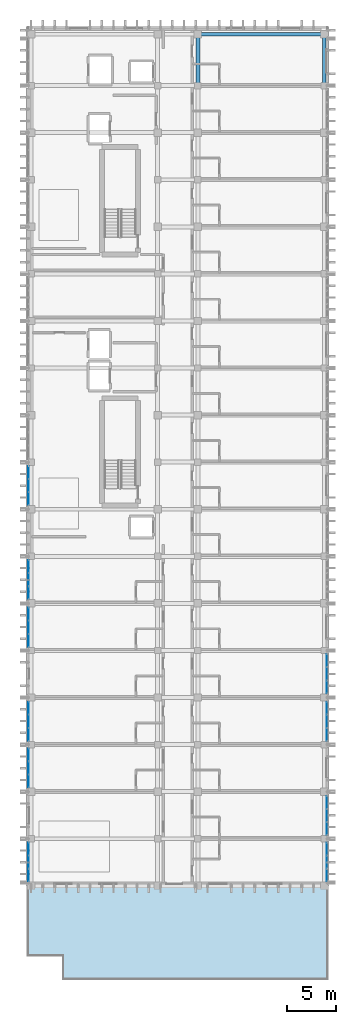
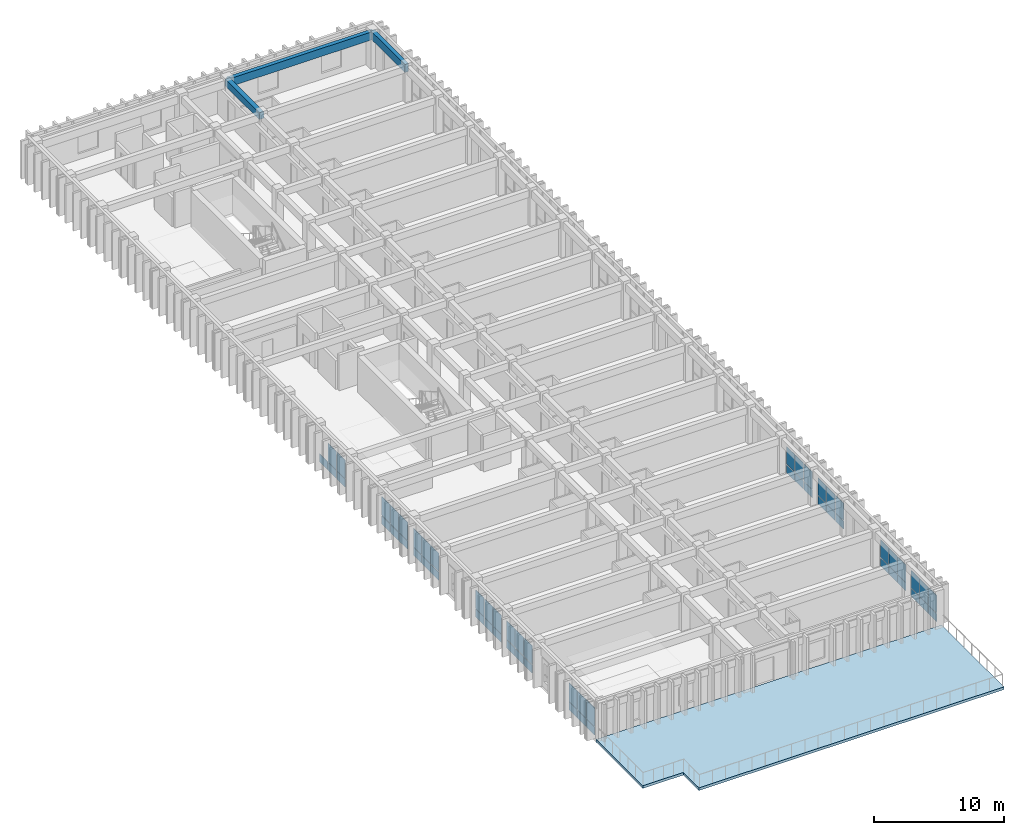
# One storey, part 47 of 64: 59 plates, 3 beams, 1 slab, 10 elements without a shape of their own.
"""IFC4 building model written with IfcOpenShell, lengths in metres."""

from ifc_helpers import new_model, si_unit, direction, frame, origin, origin_2d, place, context, subcontext, project, spatial, polyline, rectangle, outline, extrude, material, layer, layer_set, material_profile, profile_set, type_object, element, aggregate, save


model = new_model("IFC4")

# Units and contexts
model_context = context("Model", 3, precision=1e-05, world=origin(), true_north=direction((0.0, 1.0)))
body_context = subcontext(model_context, "Body", "Model", "MODEL_VIEW")
ifc_project = project(units=[si_unit("LENGTHUNIT", "METRE"), si_unit("AREAUNIT", "SQUARE_METRE"), si_unit("VOLUMEUNIT", "CUBIC_METRE"), si_unit("PLANEANGLEUNIT", "RADIAN"), si_unit("MASSUNIT", "GRAM", prefix="KILO")], contexts=[model_context])

# Site, building, storey
site_placement = place(None, origin())
site = spatial("IfcSite", under=ifc_project, at=site_placement, CompositionType="ELEMENT")
building_placement = place(site_placement, origin())
building = spatial("IfcBuilding", under=site, at=building_placement, Name="Nakhvara Creek Congress Hotel", CompositionType="ELEMENT")
storey_placement = place(building_placement, frame((0.0, 0.0, 28.199951171875)))
storey = spatial("IfcBuildingStorey", under=building, at=storey_placement, Name="L06", CompositionType="ELEMENT", Elevation=28.199951171875)

# Beams
ifc_material_1 = material(Name="Concrete C40/50", Category="concrete")
ifc_material_profile_1 = material_profile(ifc_material_1, rectangle(XDim=0.39990234375, YDim=0.64990234375, at=origin_2d()), Name="RC-BM 400x650", Category="LoadBearing")
ifc_profile_set_1 = profile_set([ifc_material_profile_1], Name="Concrete C40/50")
beam_type_1 = type_object("IfcBeamType", Name="BM-RC-400X650", PredefinedType="BEAM", material=ifc_profile_set_1)
beam_1_placement = place(storey_placement, frame((166.449951171875, 120.0, 3.01513671875), z_axis=(0.0, 1.0, 0.0), x_axis=(-1.0, 0.0, 0.0)))
element("IfcBeam", 1, at=beam_1_placement, inside=storey, type_object=beam_type_1, Name="Beam B06-L06-2274", PredefinedType="BEAM", context=body_context, shape_type="SweptSolid", body=[
    extrude(rectangle(XDim=0.39990234375, YDim=0.64990234375, at=origin_2d()), origin(), (0.0, 0.0, 1.0), 5.25),
])
ifc_material_profile_2 = material_profile(ifc_material_1, rectangle(XDim=0.35009765625, YDim=0.75, at=origin_2d()), Name="RC-SPANDREL 350x750", Category="LoadBearing")
ifc_profile_set_2 = profile_set([ifc_material_profile_2], Name="Concrete C40/50")
beam_type_2 = type_object("IfcBeamType", Name="BM-SPN-350X750", PredefinedType="SPANDREL", material=ifc_profile_set_2)
beam_2_placement = place(storey_placement, frame((166.449951171875, 125.25, 2.965087890625), z_axis=(1.0, 0.0, 0.0), x_axis=(0.0, 1.0, 0.0)))
element("IfcBeam", 2, at=beam_2_placement, inside=storey, type_object=beam_type_2, Name="Beam SP1-L06-2273", PredefinedType="SPANDREL", context=body_context, shape_type="SweptSolid", body=[
    extrude(rectangle(XDim=0.35009765625, YDim=0.75, at=origin_2d()), origin(), (0.0, 0.0, 1.0), 12.900146484375),
])
beam_3_placement = place(storey_placement, frame((179.35009765625, 120.0, 2.965087890625), z_axis=(0.0, 1.0, 0.0), x_axis=(-1.0, 0.0, 0.0)))
element("IfcBeam", 3, at=beam_3_placement, inside=storey, type_object=beam_type_2, Name="Beam SP1-L06-2292", PredefinedType="SPANDREL", context=body_context, shape_type="SweptSolid", body=[
    extrude(rectangle(XDim=0.35009765625, YDim=0.75, at=origin_2d()), origin(), (0.0, 0.0, 1.0), 5.25),
])

# Curtain wall, plates
ifc_material_2 = material(Name="Bronze-anodised aluminium AW-6063-T6 and double-silver low-E glass", Category="aluminium")
ifc_layer_1 = layer(ifc_material_2, 0.199951171875)
ifc_layer_set_1 = layer_set([ifc_layer_1], Name="Bronze-anodised aluminium AW-6063-T6 and double-silver low-E glass")
curtain_wall_type = type_object("IfcCurtainWallType", Name="CW-HTL-UNIT", PredefinedType="USERDEFINED", material=ifc_layer_set_1)
curtain_wall_1_placement = place(storey_placement, origin())
curtain_wall_1 = element("IfcCurtainWall", 4, at=curtain_wall_1_placement, inside=storey, type_object=curtain_wall_type, Name="Curtain Wall CW231", ObjectType="UNITISED", PredefinedType="USERDEFINED")
ifc_material_3 = material(Name="Double-silver solar-control low-E insulated glass", Category="glass")
plate_type_1 = type_object("IfcPlateType", Name="PNL-GLZ-120X250", PredefinedType="CURTAIN_PANEL", material=ifc_material_3)
plate_1_placement = place(storey_placement, frame((179.60009765625, 46.91552734375, 0.065185546875), z_axis=(0.0, 0.0, 1.0), x_axis=(0.0, -1.0, 0.0)))
plate_1 = element("IfcPlate", 5, at=plate_1_placement, type_object=plate_type_1, Name="CW231 panel 1.1", PredefinedType="CURTAIN_PANEL", context=body_context, shape_type="SweptSolid", body=[
    extrude(rectangle(XDim=1.25927734375, YDim=0.028076171875, at=origin_2d()), origin(), (0.0, 0.0, 1.0), 0.75244140625),
])
plate_2_placement = place(storey_placement, frame((179.60009765625, 46.91552734375, 0.88232421875), z_axis=(0.0, 0.0, 1.0), x_axis=(0.0, -1.0, 0.0)))
plate_2 = element("IfcPlate", 6, at=plate_2_placement, type_object=plate_type_1, Name="CW231 panel 1.2", PredefinedType="CURTAIN_PANEL", context=body_context, shape_type="SweptSolid", body=[
    extrude(rectangle(XDim=1.25927734375, YDim=0.028076171875, at=origin_2d()), origin(), (0.0, 0.0, 1.0), 1.634521484375),
])
plate_3_placement = place(storey_placement, frame((179.60009765625, 45.574951171875, 0.065185546875), z_axis=(0.0, 0.0, 1.0), x_axis=(0.0, -1.0, 0.0)))
plate_3 = element("IfcPlate", 7, at=plate_3_placement, type_object=plate_type_1, Name="CW231 panel 2.1", PredefinedType="CURTAIN_PANEL", context=body_context, shape_type="SweptSolid", body=[
    extrude(rectangle(XDim=1.291748046875, YDim=0.028076171875, at=origin_2d()), origin(), (0.0, 0.0, 1.0), 0.75244140625),
])
plate_4_placement = place(storey_placement, frame((179.60009765625, 45.574951171875, 0.88232421875), z_axis=(0.0, 0.0, 1.0), x_axis=(0.0, -1.0, 0.0)))
plate_4 = element("IfcPlate", 8, at=plate_4_placement, type_object=plate_type_1, Name="CW231 panel 2.2", PredefinedType="CURTAIN_PANEL", context=body_context, shape_type="SweptSolid", body=[
    extrude(rectangle(XDim=1.291748046875, YDim=0.028076171875, at=origin_2d()), origin(), (0.0, 0.0, 1.0), 1.634521484375),
])
plate_5_placement = place(storey_placement, frame((179.60009765625, 44.234619140625, 0.065185546875), z_axis=(0.0, 0.0, 1.0), x_axis=(0.0, -1.0, 0.0)))
plate_5 = element("IfcPlate", 9, at=plate_5_placement, type_object=plate_type_1, Name="CW231 panel 3.1", PredefinedType="CURTAIN_PANEL", context=body_context, shape_type="SweptSolid", body=[
    extrude(rectangle(XDim=1.25927734375, YDim=0.028076171875, at=origin_2d()), origin(), (0.0, 0.0, 1.0), 0.75244140625),
])
plate_6_placement = place(storey_placement, frame((179.60009765625, 44.234619140625, 0.88232421875), z_axis=(0.0, 0.0, 1.0), x_axis=(0.0, -1.0, 0.0)))
plate_6 = element("IfcPlate", 10, at=plate_6_placement, type_object=plate_type_1, Name="CW231 panel 3.2", PredefinedType="CURTAIN_PANEL", context=body_context, shape_type="SweptSolid", body=[
    extrude(rectangle(XDim=1.25927734375, YDim=0.028076171875, at=origin_2d()), origin(), (0.0, 0.0, 1.0), 1.634521484375),
])
aggregate(curtain_wall_1, [plate_1, plate_2, plate_3, plate_4, plate_5, plate_6])

curtain_wall_2_placement = place(storey_placement, origin())
curtain_wall_2 = element("IfcCurtainWall", 11, at=curtain_wall_2_placement, inside=storey, type_object=curtain_wall_type, Name="Curtain Wall CW232", ObjectType="UNITISED", PredefinedType="USERDEFINED")
plate_7_placement = place(storey_placement, frame((149.199951171875, 49.08447265625, 0.065185546875), z_axis=(0.0, 0.0, 1.0), x_axis=(0.0, 1.0, 0.0)))
plate_7 = element("IfcPlate", 12, at=plate_7_placement, type_object=plate_type_1, Name="CW232 panel 1.1", PredefinedType="CURTAIN_PANEL", context=body_context, shape_type="SweptSolid", body=[
    extrude(rectangle(XDim=1.25927734375, YDim=0.028076171875, at=origin_2d()), origin(), (0.0, 0.0, 1.0), 0.75244140625),
])
plate_8_placement = place(storey_placement, frame((149.199951171875, 49.08447265625, 0.88232421875), z_axis=(0.0, 0.0, 1.0), x_axis=(0.0, 1.0, 0.0)))
plate_8 = element("IfcPlate", 13, at=plate_8_placement, type_object=plate_type_1, Name="CW232 panel 1.2", PredefinedType="CURTAIN_PANEL", context=body_context, shape_type="SweptSolid", body=[
    extrude(rectangle(XDim=1.25927734375, YDim=0.028076171875, at=origin_2d()), origin(), (0.0, 0.0, 1.0), 1.734619140625),
])
plate_9_placement = place(storey_placement, frame((149.199951171875, 50.425048828125, 0.065185546875), z_axis=(0.0, 0.0, 1.0), x_axis=(0.0, 1.0, 0.0)))
plate_9 = element("IfcPlate", 14, at=plate_9_placement, type_object=plate_type_1, Name="CW232 panel 2.1", PredefinedType="CURTAIN_PANEL", context=body_context, shape_type="SweptSolid", body=[
    extrude(rectangle(XDim=1.291748046875, YDim=0.028076171875, at=origin_2d()), origin(), (0.0, 0.0, 1.0), 0.75244140625),
])
plate_10_placement = place(storey_placement, frame((149.199951171875, 50.425048828125, 0.88232421875), z_axis=(0.0, 0.0, 1.0), x_axis=(0.0, 1.0, 0.0)))
plate_10 = element("IfcPlate", 15, at=plate_10_placement, type_object=plate_type_1, Name="CW232 panel 2.2", PredefinedType="CURTAIN_PANEL", context=body_context, shape_type="SweptSolid", body=[
    extrude(rectangle(XDim=1.291748046875, YDim=0.028076171875, at=origin_2d()), origin(), (0.0, 0.0, 1.0), 1.734619140625),
])
plate_11_placement = place(storey_placement, frame((149.199951171875, 51.765380859375, 0.065185546875), z_axis=(0.0, 0.0, 1.0), x_axis=(0.0, 1.0, 0.0)))
plate_11 = element("IfcPlate", 16, at=plate_11_placement, type_object=plate_type_1, Name="CW232 panel 3.1", PredefinedType="CURTAIN_PANEL", context=body_context, shape_type="SweptSolid", body=[
    extrude(rectangle(XDim=1.25927734375, YDim=0.028076171875, at=origin_2d()), origin(), (0.0, 0.0, 1.0), 0.75244140625),
])
plate_12_placement = place(storey_placement, frame((149.199951171875, 51.765380859375, 0.88232421875), z_axis=(0.0, 0.0, 1.0), x_axis=(0.0, 1.0, 0.0)))
plate_12 = element("IfcPlate", 17, at=plate_12_placement, type_object=plate_type_1, Name="CW232 panel 3.2", PredefinedType="CURTAIN_PANEL", context=body_context, shape_type="SweptSolid", body=[
    extrude(rectangle(XDim=1.25927734375, YDim=0.028076171875, at=origin_2d()), origin(), (0.0, 0.0, 1.0), 1.734619140625),
])
aggregate(curtain_wall_2, [plate_7, plate_8, plate_9, plate_10, plate_11, plate_12])

curtain_wall_3_placement = place(storey_placement, origin())
curtain_wall_3 = element("IfcCurtainWall", 18, at=curtain_wall_3_placement, inside=storey, type_object=curtain_wall_type, Name="Curtain Wall CW233", ObjectType="UNITISED", PredefinedType="USERDEFINED")
plate_13_placement = place(storey_placement, frame((179.60009765625, 56.515380859375, 0.065185546875), z_axis=(0.0, 0.0, 1.0), x_axis=(0.0, -1.0, 0.0)))
plate_13 = element("IfcPlate", 19, at=plate_13_placement, type_object=plate_type_1, Name="CW233 panel 1.1", PredefinedType="CURTAIN_PANEL", context=body_context, shape_type="SweptSolid", body=[
    extrude(rectangle(XDim=1.25927734375, YDim=0.028076171875, at=origin_2d()), origin(), (0.0, 0.0, 1.0), 0.75244140625),
])
plate_14_placement = place(storey_placement, frame((179.60009765625, 56.515380859375, 0.88232421875), z_axis=(0.0, 0.0, 1.0), x_axis=(0.0, -1.0, 0.0)))
plate_14 = element("IfcPlate", 20, at=plate_14_placement, type_object=plate_type_1, Name="CW233 panel 1.2", PredefinedType="CURTAIN_PANEL", context=body_context, shape_type="SweptSolid", body=[
    extrude(rectangle(XDim=1.25927734375, YDim=0.028076171875, at=origin_2d()), origin(), (0.0, 0.0, 1.0), 1.634521484375),
])
plate_15_placement = place(storey_placement, frame((179.60009765625, 55.175048828125, 0.065185546875), z_axis=(0.0, 0.0, 1.0), x_axis=(0.0, -1.0, 0.0)))
plate_15 = element("IfcPlate", 21, at=plate_15_placement, type_object=plate_type_1, Name="CW233 panel 2.1", PredefinedType="CURTAIN_PANEL", context=body_context, shape_type="SweptSolid", body=[
    extrude(rectangle(XDim=1.291748046875, YDim=0.028076171875, at=origin_2d()), origin(), (0.0, 0.0, 1.0), 0.75244140625),
])
plate_16_placement = place(storey_placement, frame((179.60009765625, 55.175048828125, 0.88232421875), z_axis=(0.0, 0.0, 1.0), x_axis=(0.0, -1.0, 0.0)))
plate_16 = element("IfcPlate", 22, at=plate_16_placement, type_object=plate_type_1, Name="CW233 panel 2.2", PredefinedType="CURTAIN_PANEL", context=body_context, shape_type="SweptSolid", body=[
    extrude(rectangle(XDim=1.291748046875, YDim=0.028076171875, at=origin_2d()), origin(), (0.0, 0.0, 1.0), 1.634521484375),
])
plate_17_placement = place(storey_placement, frame((179.60009765625, 53.83447265625, 0.065185546875), z_axis=(0.0, 0.0, 1.0), x_axis=(0.0, -1.0, 0.0)))
plate_17 = element("IfcPlate", 23, at=plate_17_placement, type_object=plate_type_1, Name="CW233 panel 3.1", PredefinedType="CURTAIN_PANEL", context=body_context, shape_type="SweptSolid", body=[
    extrude(rectangle(XDim=1.25927734375, YDim=0.028076171875, at=origin_2d()), origin(), (0.0, 0.0, 1.0), 0.75244140625),
])
plate_18_placement = place(storey_placement, frame((179.60009765625, 53.83447265625, 0.88232421875), z_axis=(0.0, 0.0, 1.0), x_axis=(0.0, -1.0, 0.0)))
plate_18 = element("IfcPlate", 24, at=plate_18_placement, type_object=plate_type_1, Name="CW233 panel 3.2", PredefinedType="CURTAIN_PANEL", context=body_context, shape_type="SweptSolid", body=[
    extrude(rectangle(XDim=1.25927734375, YDim=0.028076171875, at=origin_2d()), origin(), (0.0, 0.0, 1.0), 1.634521484375),
])
aggregate(curtain_wall_3, [plate_13, plate_14, plate_15, plate_16, plate_17, plate_18])

curtain_wall_4_placement = place(storey_placement, origin())
curtain_wall_4 = element("IfcCurtainWall", 25, at=curtain_wall_4_placement, inside=storey, type_object=curtain_wall_type, Name="Curtain Wall CW234", ObjectType="UNITISED", PredefinedType="USERDEFINED")
plate_19_placement = place(storey_placement, frame((149.199951171875, 53.83447265625, 0.065185546875), z_axis=(0.0, 0.0, 1.0), x_axis=(0.0, 1.0, 0.0)))
plate_19 = element("IfcPlate", 26, at=plate_19_placement, type_object=plate_type_1, Name="CW234 panel 1.1", PredefinedType="CURTAIN_PANEL", context=body_context, shape_type="SweptSolid", body=[
    extrude(rectangle(XDim=1.25927734375, YDim=0.028076171875, at=origin_2d()), origin(), (0.0, 0.0, 1.0), 0.75244140625),
])
plate_20_placement = place(storey_placement, frame((149.199951171875, 53.83447265625, 0.88232421875), z_axis=(0.0, 0.0, 1.0), x_axis=(0.0, 1.0, 0.0)))
plate_20 = element("IfcPlate", 27, at=plate_20_placement, type_object=plate_type_1, Name="CW234 panel 1.2", PredefinedType="CURTAIN_PANEL", context=body_context, shape_type="SweptSolid", body=[
    extrude(rectangle(XDim=1.25927734375, YDim=0.028076171875, at=origin_2d()), origin(), (0.0, 0.0, 1.0), 1.734619140625),
])
plate_21_placement = place(storey_placement, frame((149.199951171875, 55.175048828125, 0.065185546875), z_axis=(0.0, 0.0, 1.0), x_axis=(0.0, 1.0, 0.0)))
plate_21 = element("IfcPlate", 28, at=plate_21_placement, type_object=plate_type_1, Name="CW234 panel 2.1", PredefinedType="CURTAIN_PANEL", context=body_context, shape_type="SweptSolid", body=[
    extrude(rectangle(XDim=1.291748046875, YDim=0.028076171875, at=origin_2d()), origin(), (0.0, 0.0, 1.0), 0.75244140625),
])
plate_22_placement = place(storey_placement, frame((149.199951171875, 55.175048828125, 0.88232421875), z_axis=(0.0, 0.0, 1.0), x_axis=(0.0, 1.0, 0.0)))
plate_22 = element("IfcPlate", 29, at=plate_22_placement, type_object=plate_type_1, Name="CW234 panel 2.2", PredefinedType="CURTAIN_PANEL", context=body_context, shape_type="SweptSolid", body=[
    extrude(rectangle(XDim=1.291748046875, YDim=0.028076171875, at=origin_2d()), origin(), (0.0, 0.0, 1.0), 1.734619140625),
])
plate_23_placement = place(storey_placement, frame((149.199951171875, 56.515380859375, 0.065185546875), z_axis=(0.0, 0.0, 1.0), x_axis=(0.0, 1.0, 0.0)))
plate_23 = element("IfcPlate", 30, at=plate_23_placement, type_object=plate_type_1, Name="CW234 panel 3.1", PredefinedType="CURTAIN_PANEL", context=body_context, shape_type="SweptSolid", body=[
    extrude(rectangle(XDim=1.25927734375, YDim=0.028076171875, at=origin_2d()), origin(), (0.0, 0.0, 1.0), 0.75244140625),
])
plate_24_placement = place(storey_placement, frame((149.199951171875, 56.515380859375, 0.88232421875), z_axis=(0.0, 0.0, 1.0), x_axis=(0.0, 1.0, 0.0)))
plate_24 = element("IfcPlate", 31, at=plate_24_placement, type_object=plate_type_1, Name="CW234 panel 3.2", PredefinedType="CURTAIN_PANEL", context=body_context, shape_type="SweptSolid", body=[
    extrude(rectangle(XDim=1.25927734375, YDim=0.028076171875, at=origin_2d()), origin(), (0.0, 0.0, 1.0), 1.734619140625),
])
aggregate(curtain_wall_4, [plate_19, plate_20, plate_21, plate_22, plate_23, plate_24])

curtain_wall_5_placement = place(storey_placement, origin())
curtain_wall_5 = element("IfcCurtainWall", 32, at=curtain_wall_5_placement, inside=storey, type_object=curtain_wall_type, Name="Curtain Wall CW235", ObjectType="UNITISED", PredefinedType="USERDEFINED")
plate_25_placement = place(storey_placement, frame((179.60009765625, 61.365478515625, 0.065185546875), z_axis=(0.0, 0.0, 1.0), x_axis=(0.0, -1.0, 0.0)))
plate_25 = element("IfcPlate", 33, at=plate_25_placement, type_object=plate_type_1, Name="CW235 panel 1.1", PredefinedType="CURTAIN_PANEL", context=body_context, shape_type="SweptSolid", body=[
    extrude(rectangle(XDim=1.25927734375, YDim=0.028076171875, at=origin_2d()), origin(), (0.0, 0.0, 1.0), 0.75244140625),
])
plate_26_placement = place(storey_placement, frame((179.60009765625, 61.365478515625, 0.88232421875), z_axis=(0.0, 0.0, 1.0), x_axis=(0.0, -1.0, 0.0)))
plate_26 = element("IfcPlate", 34, at=plate_26_placement, type_object=plate_type_1, Name="CW235 panel 1.2", PredefinedType="CURTAIN_PANEL", context=body_context, shape_type="SweptSolid", body=[
    extrude(rectangle(XDim=1.25927734375, YDim=0.028076171875, at=origin_2d()), origin(), (0.0, 0.0, 1.0), 1.634521484375),
])
plate_27_placement = place(storey_placement, frame((179.60009765625, 60.02490234375, 0.065185546875), z_axis=(0.0, 0.0, 1.0), x_axis=(0.0, -1.0, 0.0)))
plate_27 = element("IfcPlate", 35, at=plate_27_placement, type_object=plate_type_1, Name="CW235 panel 2.1", PredefinedType="CURTAIN_PANEL", context=body_context, shape_type="SweptSolid", body=[
    extrude(rectangle(XDim=1.291748046875, YDim=0.028076171875, at=origin_2d()), origin(), (0.0, 0.0, 1.0), 0.75244140625),
])
plate_28_placement = place(storey_placement, frame((179.60009765625, 60.02490234375, 0.88232421875), z_axis=(0.0, 0.0, 1.0), x_axis=(0.0, -1.0, 0.0)))
plate_28 = element("IfcPlate", 36, at=plate_28_placement, type_object=plate_type_1, Name="CW235 panel 2.2", PredefinedType="CURTAIN_PANEL", context=body_context, shape_type="SweptSolid", body=[
    extrude(rectangle(XDim=1.291748046875, YDim=0.028076171875, at=origin_2d()), origin(), (0.0, 0.0, 1.0), 1.634521484375),
])
plate_29_placement = place(storey_placement, frame((179.60009765625, 58.6845703125, 0.065185546875), z_axis=(0.0, 0.0, 1.0), x_axis=(0.0, -1.0, 0.0)))
plate_29 = element("IfcPlate", 37, at=plate_29_placement, type_object=plate_type_1, Name="CW235 panel 3.1", PredefinedType="CURTAIN_PANEL", context=body_context, shape_type="SweptSolid", body=[
    extrude(rectangle(XDim=1.25927734375, YDim=0.028076171875, at=origin_2d()), origin(), (0.0, 0.0, 1.0), 0.75244140625),
])
plate_30_placement = place(storey_placement, frame((179.60009765625, 58.6845703125, 0.88232421875), z_axis=(0.0, 0.0, 1.0), x_axis=(0.0, -1.0, 0.0)))
plate_30 = element("IfcPlate", 38, at=plate_30_placement, type_object=plate_type_1, Name="CW235 panel 3.2", PredefinedType="CURTAIN_PANEL", context=body_context, shape_type="SweptSolid", body=[
    extrude(rectangle(XDim=1.25927734375, YDim=0.028076171875, at=origin_2d()), origin(), (0.0, 0.0, 1.0), 1.634521484375),
])
aggregate(curtain_wall_5, [plate_25, plate_26, plate_27, plate_28, plate_29, plate_30])

curtain_wall_6_placement = place(storey_placement, origin())
curtain_wall_6 = element("IfcCurtainWall", 39, at=curtain_wall_6_placement, inside=storey, type_object=curtain_wall_type, Name="Curtain Wall CW236", ObjectType="UNITISED", PredefinedType="USERDEFINED")
plate_31_placement = place(storey_placement, frame((149.199951171875, 63.4345703125, 0.065185546875), z_axis=(0.0, 0.0, 1.0), x_axis=(0.0, 1.0, 0.0)))
plate_31 = element("IfcPlate", 40, at=plate_31_placement, type_object=plate_type_1, Name="CW236 panel 1.1", PredefinedType="CURTAIN_PANEL", context=body_context, shape_type="SweptSolid", body=[
    extrude(rectangle(XDim=1.25927734375, YDim=0.028076171875, at=origin_2d()), origin(), (0.0, 0.0, 1.0), 0.75244140625),
])
plate_32_placement = place(storey_placement, frame((149.199951171875, 63.4345703125, 0.88232421875), z_axis=(0.0, 0.0, 1.0), x_axis=(0.0, 1.0, 0.0)))
plate_32 = element("IfcPlate", 41, at=plate_32_placement, type_object=plate_type_1, Name="CW236 panel 1.2", PredefinedType="CURTAIN_PANEL", context=body_context, shape_type="SweptSolid", body=[
    extrude(rectangle(XDim=1.25927734375, YDim=0.028076171875, at=origin_2d()), origin(), (0.0, 0.0, 1.0), 1.734619140625),
])
plate_33_placement = place(storey_placement, frame((149.199951171875, 64.77490234375, 0.065185546875), z_axis=(0.0, 0.0, 1.0), x_axis=(0.0, 1.0, 0.0)))
plate_33 = element("IfcPlate", 42, at=plate_33_placement, type_object=plate_type_1, Name="CW236 panel 2.1", PredefinedType="CURTAIN_PANEL", context=body_context, shape_type="SweptSolid", body=[
    extrude(rectangle(XDim=1.291748046875, YDim=0.028076171875, at=origin_2d()), origin(), (0.0, 0.0, 1.0), 0.75244140625),
])
plate_34_placement = place(storey_placement, frame((149.199951171875, 64.77490234375, 0.88232421875), z_axis=(0.0, 0.0, 1.0), x_axis=(0.0, 1.0, 0.0)))
plate_34 = element("IfcPlate", 43, at=plate_34_placement, type_object=plate_type_1, Name="CW236 panel 2.2", PredefinedType="CURTAIN_PANEL", context=body_context, shape_type="SweptSolid", body=[
    extrude(rectangle(XDim=1.291748046875, YDim=0.028076171875, at=origin_2d()), origin(), (0.0, 0.0, 1.0), 1.734619140625),
])
plate_35_placement = place(storey_placement, frame((149.199951171875, 66.115478515625, 0.065185546875), z_axis=(0.0, 0.0, 1.0), x_axis=(0.0, 1.0, 0.0)))
plate_35 = element("IfcPlate", 44, at=plate_35_placement, type_object=plate_type_1, Name="CW236 panel 3.1", PredefinedType="CURTAIN_PANEL", context=body_context, shape_type="SweptSolid", body=[
    extrude(rectangle(XDim=1.25927734375, YDim=0.028076171875, at=origin_2d()), origin(), (0.0, 0.0, 1.0), 0.75244140625),
])
plate_36_placement = place(storey_placement, frame((149.199951171875, 66.115478515625, 0.88232421875), z_axis=(0.0, 0.0, 1.0), x_axis=(0.0, 1.0, 0.0)))
plate_36 = element("IfcPlate", 45, at=plate_36_placement, type_object=plate_type_1, Name="CW236 panel 3.2", PredefinedType="CURTAIN_PANEL", context=body_context, shape_type="SweptSolid", body=[
    extrude(rectangle(XDim=1.25927734375, YDim=0.028076171875, at=origin_2d()), origin(), (0.0, 0.0, 1.0), 1.734619140625),
])
aggregate(curtain_wall_6, [plate_31, plate_32, plate_33, plate_34, plate_35, plate_36])

curtain_wall_7_placement = place(storey_placement, origin())
curtain_wall_7 = element("IfcCurtainWall", 46, at=curtain_wall_7_placement, inside=storey, type_object=curtain_wall_type, Name="Curtain Wall CW240", ObjectType="UNITISED", PredefinedType="USERDEFINED")
plate_37_placement = place(storey_placement, frame((149.199951171875, 77.884521484375, 0.065185546875), z_axis=(0.0, 0.0, 1.0), x_axis=(0.0, 1.0, 0.0)))
plate_37 = element("IfcPlate", 47, at=plate_37_placement, type_object=plate_type_1, Name="CW240 panel 1.1", PredefinedType="CURTAIN_PANEL", context=body_context, shape_type="SweptSolid", body=[
    extrude(rectangle(XDim=1.25927734375, YDim=0.028076171875, at=origin_2d()), origin(), (0.0, 0.0, 1.0), 0.75244140625),
])
plate_38_placement = place(storey_placement, frame((149.199951171875, 77.884521484375, 0.88232421875), z_axis=(0.0, 0.0, 1.0), x_axis=(0.0, 1.0, 0.0)))
plate_38 = element("IfcPlate", 48, at=plate_38_placement, type_object=plate_type_1, Name="CW240 panel 1.2", PredefinedType="CURTAIN_PANEL", context=body_context, shape_type="SweptSolid", body=[
    extrude(rectangle(XDim=1.25927734375, YDim=0.028076171875, at=origin_2d()), origin(), (0.0, 0.0, 1.0), 1.734619140625),
])
plate_39_placement = place(storey_placement, frame((149.199951171875, 79.22509765625, 0.065185546875), z_axis=(0.0, 0.0, 1.0), x_axis=(0.0, 1.0, 0.0)))
plate_39 = element("IfcPlate", 49, at=plate_39_placement, type_object=plate_type_1, Name="CW240 panel 2.1", PredefinedType="CURTAIN_PANEL", context=body_context, shape_type="SweptSolid", body=[
    extrude(rectangle(XDim=1.291748046875, YDim=0.028076171875, at=origin_2d()), origin(), (0.0, 0.0, 1.0), 0.75244140625),
])
plate_40_placement = place(storey_placement, frame((149.199951171875, 79.22509765625, 0.88232421875), z_axis=(0.0, 0.0, 1.0), x_axis=(0.0, 1.0, 0.0)))
plate_40 = element("IfcPlate", 50, at=plate_40_placement, type_object=plate_type_1, Name="CW240 panel 2.2", PredefinedType="CURTAIN_PANEL", context=body_context, shape_type="SweptSolid", body=[
    extrude(rectangle(XDim=1.291748046875, YDim=0.028076171875, at=origin_2d()), origin(), (0.0, 0.0, 1.0), 1.734619140625),
])
plate_41_placement = place(storey_placement, frame((149.199951171875, 80.5654296875, 0.065185546875), z_axis=(0.0, 0.0, 1.0), x_axis=(0.0, 1.0, 0.0)))
plate_41 = element("IfcPlate", 51, at=plate_41_placement, type_object=plate_type_1, Name="CW240 panel 3.1", PredefinedType="CURTAIN_PANEL", context=body_context, shape_type="SweptSolid", body=[
    extrude(rectangle(XDim=1.25927734375, YDim=0.028076171875, at=origin_2d()), origin(), (0.0, 0.0, 1.0), 0.75244140625),
])
aggregate(curtain_wall_7, [plate_37, plate_38, plate_39, plate_40, plate_41])

curtain_wall_8_placement = place(storey_placement, origin())
curtain_wall_8 = element("IfcCurtainWall", 52, at=curtain_wall_8_placement, inside=storey, type_object=curtain_wall_type, Name="Curtain Wall CW229", ObjectType="UNITISED", PredefinedType="USERDEFINED")
ifc_material_4 = material(Name="Back-insulated bronze spandrel glass panel", Category="glass")
plate_type_2 = type_object("IfcPlateType", Name="PNL-SPN-120X080", PredefinedType="CURTAIN_PANEL", material=ifc_material_4)
plate_42_placement = place(storey_placement, frame((179.60009765625, 42.16552734375, 0.065185546875), z_axis=(0.0, 0.0, 1.0), x_axis=(0.0, -1.0, 0.0)))
plate_42 = element("IfcPlate", 53, at=plate_42_placement, type_object=plate_type_2, Name="CW229 panel 1.1", PredefinedType="CURTAIN_PANEL", context=body_context, shape_type="SweptSolid", body=[
    extrude(rectangle(XDim=1.25927734375, YDim=0.0419921875, at=origin_2d()), origin(), (0.0, 0.0, 1.0), 0.75244140625),
])
plate_43_placement = place(storey_placement, frame((179.60009765625, 42.16552734375, 0.88232421875), z_axis=(0.0, 0.0, 1.0), x_axis=(0.0, -1.0, 0.0)))
plate_43 = element("IfcPlate", 54, at=plate_43_placement, type_object=plate_type_2, Name="CW229 panel 1.2", PredefinedType="CURTAIN_PANEL", context=body_context, shape_type="SweptSolid", body=[
    extrude(rectangle(XDim=1.25927734375, YDim=0.0419921875, at=origin_2d()), origin(), (0.0, 0.0, 1.0), 1.634521484375),
])
plate_44_placement = place(storey_placement, frame((179.60009765625, 40.824951171875, 0.065185546875), z_axis=(0.0, 0.0, 1.0), x_axis=(0.0, -1.0, 0.0)))
plate_44 = element("IfcPlate", 55, at=plate_44_placement, type_object=plate_type_2, Name="CW229 panel 2.1", PredefinedType="CURTAIN_PANEL", context=body_context, shape_type="SweptSolid", body=[
    extrude(rectangle(XDim=1.291748046875, YDim=0.0419921875, at=origin_2d()), origin(), (0.0, 0.0, 1.0), 0.75244140625),
])
plate_45_placement = place(storey_placement, frame((179.60009765625, 40.824951171875, 0.88232421875), z_axis=(0.0, 0.0, 1.0), x_axis=(0.0, -1.0, 0.0)))
plate_45 = element("IfcPlate", 56, at=plate_45_placement, type_object=plate_type_2, Name="CW229 panel 2.2", PredefinedType="CURTAIN_PANEL", context=body_context, shape_type="SweptSolid", body=[
    extrude(rectangle(XDim=1.291748046875, YDim=0.0419921875, at=origin_2d()), origin(), (0.0, 0.0, 1.0), 1.634521484375),
])
plate_46_placement = place(storey_placement, frame((179.60009765625, 39.484619140625, 0.065185546875), z_axis=(0.0, 0.0, 1.0), x_axis=(0.0, -1.0, 0.0)))
plate_46 = element("IfcPlate", 57, at=plate_46_placement, type_object=plate_type_2, Name="CW229 panel 3.1", PredefinedType="CURTAIN_PANEL", context=body_context, shape_type="SweptSolid", body=[
    extrude(rectangle(XDim=1.25927734375, YDim=0.0419921875, at=origin_2d()), origin(), (0.0, 0.0, 1.0), 0.75244140625),
])
plate_47_placement = place(storey_placement, frame((179.60009765625, 39.484619140625, 0.88232421875), z_axis=(0.0, 0.0, 1.0), x_axis=(0.0, -1.0, 0.0)))
plate_47 = element("IfcPlate", 58, at=plate_47_placement, type_object=plate_type_2, Name="CW229 panel 3.2", PredefinedType="CURTAIN_PANEL", context=body_context, shape_type="SweptSolid", body=[
    extrude(rectangle(XDim=1.25927734375, YDim=0.0419921875, at=origin_2d()), origin(), (0.0, 0.0, 1.0), 1.634521484375),
])
aggregate(curtain_wall_8, [plate_42, plate_43, plate_44, plate_45, plate_46, plate_47])

curtain_wall_9_placement = place(storey_placement, origin())
curtain_wall_9 = element("IfcCurtainWall", 59, at=curtain_wall_9_placement, inside=storey, type_object=curtain_wall_type, Name="Curtain Wall CW230", ObjectType="UNITISED", PredefinedType="USERDEFINED")
plate_48_placement = place(storey_placement, frame((149.199951171875, 39.484619140625, 0.065185546875), z_axis=(0.0, 0.0, 1.0), x_axis=(0.0, 1.0, 0.0)))
plate_48 = element("IfcPlate", 60, at=plate_48_placement, type_object=plate_type_2, Name="CW230 panel 1.1", PredefinedType="CURTAIN_PANEL", context=body_context, shape_type="SweptSolid", body=[
    extrude(rectangle(XDim=1.25927734375, YDim=0.0419921875, at=origin_2d()), origin(), (0.0, 0.0, 1.0), 0.75244140625),
])
plate_49_placement = place(storey_placement, frame((149.199951171875, 39.484619140625, 0.88232421875), z_axis=(0.0, 0.0, 1.0), x_axis=(0.0, 1.0, 0.0)))
plate_49 = element("IfcPlate", 61, at=plate_49_placement, type_object=plate_type_2, Name="CW230 panel 1.2", PredefinedType="CURTAIN_PANEL", context=body_context, shape_type="SweptSolid", body=[
    extrude(rectangle(XDim=1.25927734375, YDim=0.0419921875, at=origin_2d()), origin(), (0.0, 0.0, 1.0), 1.734619140625),
])
plate_50_placement = place(storey_placement, frame((149.199951171875, 40.824951171875, 0.065185546875), z_axis=(0.0, 0.0, 1.0), x_axis=(0.0, 1.0, 0.0)))
plate_50 = element("IfcPlate", 62, at=plate_50_placement, type_object=plate_type_2, Name="CW230 panel 2.1", PredefinedType="CURTAIN_PANEL", context=body_context, shape_type="SweptSolid", body=[
    extrude(rectangle(XDim=1.291748046875, YDim=0.0419921875, at=origin_2d()), origin(), (0.0, 0.0, 1.0), 0.75244140625),
])
plate_51_placement = place(storey_placement, frame((149.199951171875, 40.824951171875, 0.88232421875), z_axis=(0.0, 0.0, 1.0), x_axis=(0.0, 1.0, 0.0)))
plate_51 = element("IfcPlate", 63, at=plate_51_placement, type_object=plate_type_2, Name="CW230 panel 2.2", PredefinedType="CURTAIN_PANEL", context=body_context, shape_type="SweptSolid", body=[
    extrude(rectangle(XDim=1.291748046875, YDim=0.0419921875, at=origin_2d()), origin(), (0.0, 0.0, 1.0), 1.734619140625),
])
plate_52_placement = place(storey_placement, frame((149.199951171875, 42.16552734375, 0.065185546875), z_axis=(0.0, 0.0, 1.0), x_axis=(0.0, 1.0, 0.0)))
plate_52 = element("IfcPlate", 64, at=plate_52_placement, type_object=plate_type_2, Name="CW230 panel 3.1", PredefinedType="CURTAIN_PANEL", context=body_context, shape_type="SweptSolid", body=[
    extrude(rectangle(XDim=1.25927734375, YDim=0.0419921875, at=origin_2d()), origin(), (0.0, 0.0, 1.0), 0.75244140625),
])
plate_53_placement = place(storey_placement, frame((149.199951171875, 42.16552734375, 0.88232421875), z_axis=(0.0, 0.0, 1.0), x_axis=(0.0, 1.0, 0.0)))
plate_53 = element("IfcPlate", 65, at=plate_53_placement, type_object=plate_type_2, Name="CW230 panel 3.2", PredefinedType="CURTAIN_PANEL", context=body_context, shape_type="SweptSolid", body=[
    extrude(rectangle(XDim=1.25927734375, YDim=0.0419921875, at=origin_2d()), origin(), (0.0, 0.0, 1.0), 1.734619140625),
])
aggregate(curtain_wall_9, [plate_48, plate_49, plate_50, plate_51, plate_52, plate_53])

curtain_wall_10_placement = place(storey_placement, origin())
curtain_wall_10 = element("IfcCurtainWall", 66, at=curtain_wall_10_placement, inside=storey, type_object=curtain_wall_type, Name="Curtain Wall CW238", ObjectType="UNITISED", PredefinedType="USERDEFINED")
plate_54_placement = place(storey_placement, frame((149.199951171875, 68.28466796875, 0.065185546875), z_axis=(0.0, 0.0, 1.0), x_axis=(0.0, 1.0, 0.0)))
plate_54 = element("IfcPlate", 67, at=plate_54_placement, type_object=plate_type_2, Name="CW238 panel 1.1", PredefinedType="CURTAIN_PANEL", context=body_context, shape_type="SweptSolid", body=[
    extrude(rectangle(XDim=1.25927734375, YDim=0.0419921875, at=origin_2d()), origin(), (0.0, 0.0, 1.0), 0.75244140625),
])
plate_55_placement = place(storey_placement, frame((149.199951171875, 68.28466796875, 0.88232421875), z_axis=(0.0, 0.0, 1.0), x_axis=(0.0, 1.0, 0.0)))
plate_55 = element("IfcPlate", 68, at=plate_55_placement, type_object=plate_type_2, Name="CW238 panel 1.2", PredefinedType="CURTAIN_PANEL", context=body_context, shape_type="SweptSolid", body=[
    extrude(rectangle(XDim=1.25927734375, YDim=0.0419921875, at=origin_2d()), origin(), (0.0, 0.0, 1.0), 1.734619140625),
])
plate_56_placement = place(storey_placement, frame((149.199951171875, 69.625, 0.065185546875), z_axis=(0.0, 0.0, 1.0), x_axis=(0.0, 1.0, 0.0)))
plate_56 = element("IfcPlate", 69, at=plate_56_placement, type_object=plate_type_2, Name="CW238 panel 2.1", PredefinedType="CURTAIN_PANEL", context=body_context, shape_type="SweptSolid", body=[
    extrude(rectangle(XDim=1.291748046875, YDim=0.0419921875, at=origin_2d()), origin(), (0.0, 0.0, 1.0), 0.75244140625),
])
plate_57_placement = place(storey_placement, frame((149.199951171875, 69.625, 0.88232421875), z_axis=(0.0, 0.0, 1.0), x_axis=(0.0, 1.0, 0.0)))
plate_57 = element("IfcPlate", 70, at=plate_57_placement, type_object=plate_type_2, Name="CW238 panel 2.2", PredefinedType="CURTAIN_PANEL", context=body_context, shape_type="SweptSolid", body=[
    extrude(rectangle(XDim=1.291748046875, YDim=0.0419921875, at=origin_2d()), origin(), (0.0, 0.0, 1.0), 1.734619140625),
])
plate_58_placement = place(storey_placement, frame((149.199951171875, 70.96533203125, 0.065185546875), z_axis=(0.0, 0.0, 1.0), x_axis=(0.0, 1.0, 0.0)))
plate_58 = element("IfcPlate", 71, at=plate_58_placement, type_object=plate_type_2, Name="CW238 panel 3.1", PredefinedType="CURTAIN_PANEL", context=body_context, shape_type="SweptSolid", body=[
    extrude(rectangle(XDim=1.25927734375, YDim=0.0419921875, at=origin_2d()), origin(), (0.0, 0.0, 1.0), 0.75244140625),
])
plate_59_placement = place(storey_placement, frame((149.199951171875, 70.96533203125, 0.88232421875), z_axis=(0.0, 0.0, 1.0), x_axis=(0.0, 1.0, 0.0)))
plate_59 = element("IfcPlate", 72, at=plate_59_placement, type_object=plate_type_2, Name="CW238 panel 3.2", PredefinedType="CURTAIN_PANEL", context=body_context, shape_type="SweptSolid", body=[
    extrude(rectangle(XDim=1.25927734375, YDim=0.0419921875, at=origin_2d()), origin(), (0.0, 0.0, 1.0), 1.734619140625),
])
aggregate(curtain_wall_10, [plate_54, plate_55, plate_56, plate_57, plate_58, plate_59])

# Slab
ifc_layer_2 = layer(ifc_material_1, 0.25)
ifc_layer_set_2 = layer_set([ifc_layer_2], Name="Concrete C40/50")
slab_type = type_object("IfcSlabType", Name="SL-EXT-250", PredefinedType="FLOOR", material=ifc_layer_set_2)
slab_placement = place(storey_placement, frame((0.0, 0.0, -0.25)))
element("IfcSlab", 73, at=slab_placement, inside=storey, type_object=slab_type, Name="Outdoor Terrace Slab SLB-L06-TER-S", PredefinedType="FLOOR", context=body_context, shape_type="SweptSolid", body=[
    extrude(outline(polyline([(152.64990234375, 28.800048828125), (179.75, 28.800048828125), (179.75, 38.39990234375), (149.050048828125, 38.39990234375), (149.050048828125, 31.199951171875), (152.64990234375, 31.199951171875), (152.64990234375, 28.800048828125)])), origin(), (0.0, 0.0, 1.0), 0.25),
])

save(model, "model.ifc")
